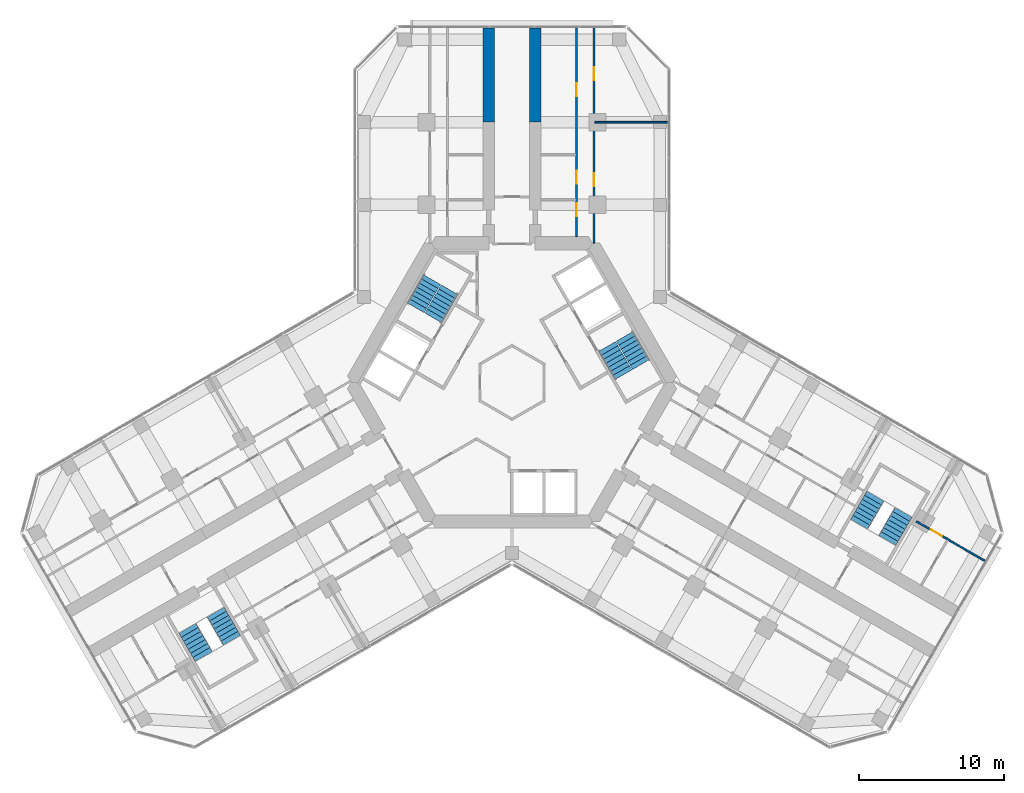
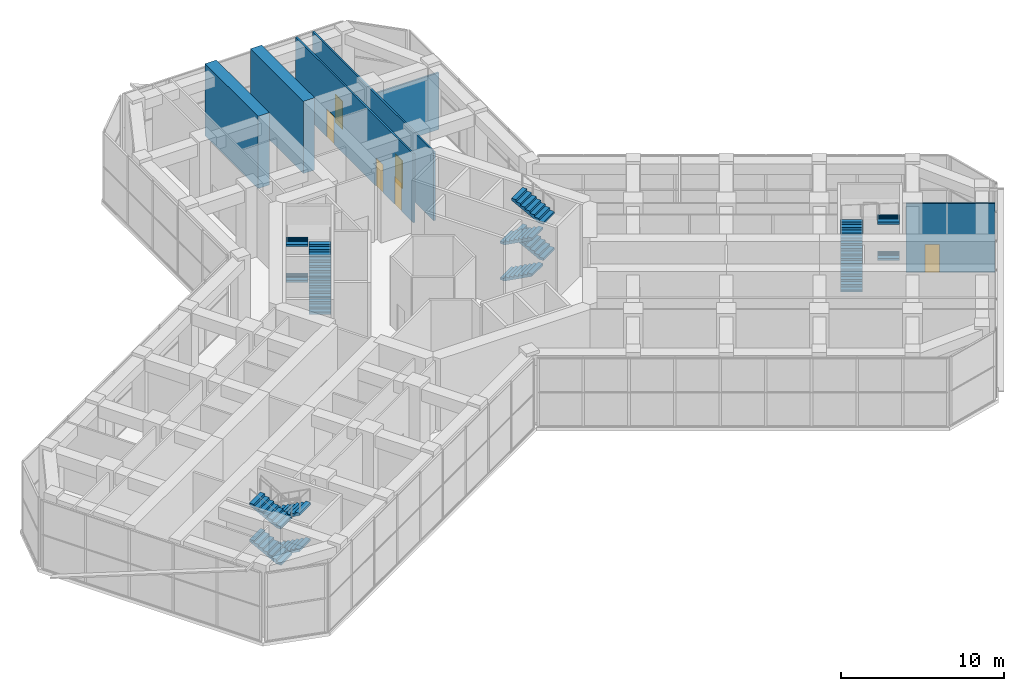
# One storey, part 18 of 20: 16 stair flights, 6 doors, 6 walls, 6 openings, 4 elements without a shape of their own.
"""IFC4 building model written with IfcOpenShell, lengths in metres."""

from ifc_helpers import new_model, si_unit, direction, frame, frame_2d, origin, place, context, subcontext, project, spatial, polyline, rectangle, outline, extrude, material, layer, layer_set, type_object, element, fill, aggregate, save


model = new_model("IFC4")

# Units and contexts
model_context = context("Model", 3, precision=1e-05, world=origin(), true_north=direction((0.0, 1.0)))
body_context = subcontext(model_context, "Body", "Model", "MODEL_VIEW")
ifc_project = project(units=[si_unit("LENGTHUNIT", "METRE"), si_unit("AREAUNIT", "SQUARE_METRE"), si_unit("VOLUMEUNIT", "CUBIC_METRE"), si_unit("PLANEANGLEUNIT", "RADIAN"), si_unit("MASSUNIT", "GRAM", prefix="KILO")], contexts=[model_context])

# Site, building, storey
site_placement = place(None, origin())
site = spatial("IfcSite", under=ifc_project, at=site_placement, CompositionType="ELEMENT")
building_placement = place(site_placement, origin())
building = spatial("IfcBuilding", under=site, at=building_placement, Name="Kosmar Iwan School Tower", CompositionType="ELEMENT")
storey_placement = place(building_placement, frame((0.0, 0.0, 152.60009765625)))
storey = spatial("IfcBuildingStorey", under=building, at=storey_placement, Name="L38", CompositionType="ELEMENT", Elevation=152.60009765625)

# Walls
ifc_material_1 = material(Name="Concrete C50/60", Category="concrete")
ifc_layer_1 = layer(ifc_material_1, 0.800048828125)
ifc_layer_set_1 = layer_set([ifc_layer_1], Name="Corridor buttress wall 800")
wall_type_1 = type_object("IfcWallType", Name="Corridor buttress wall 800", PredefinedType="SHEAR", material=ifc_layer_set_1)
for number, where, z_axis, x_axis, name in (
    (1, (-1.60009765625, 17.949951171875, 0.0), (0.0, 0.0, 1.0), (0.0, 1.0, 0.0), "Corridor wall AL bay 2"),
    (2, (1.60009765625, 17.949951171875, 0.0), (0.0, 0.0, 1.0), (0.0, 1.0, 0.0), "Corridor wall AR bay 2"),
):
    element("IfcWall", number, at=place(storey_placement, frame(where, z_axis=z_axis, x_axis=x_axis)), inside=storey, type_object=wall_type_1, Name=name, PredefinedType="SHEAR", context=body_context, shape_type="SweptSolid", body=[
        extrude(rectangle(XDim=6.4951171875, YDim=0.800048828125, at=frame_2d((3.24755859375, 0.0))), origin(), (0.0, 0.0, 1.0), 5.39990234375),
    ])

# Wall, openings, doors
ifc_material_2 = material(Name="Gypsum board on steel studs", Category="steel")
ifc_layer_2 = layer(ifc_material_2, 0.1201171875)
ifc_layer_set_2 = layer_set([ifc_layer_2], Name="Dwelling partition 120")
wall_type_2 = type_object("IfcWallType", Name="Dwelling partition 120", PredefinedType="PARTITIONING", material=ifc_layer_set_2)
wall_1_placement = place(storey_placement, frame((4.449951171875, 10.050048828125, 0.0), z_axis=(0.0, 0.0, 1.0), x_axis=(0.0, 1.0, 0.0)))
wall_1 = element("IfcWall", 3, at=wall_1_placement, inside=storey, type_object=wall_type_2, Name="Partition L38-AR1-W1", PredefinedType="PARTITIONING", context=body_context, shape_type="SweptSolid", body=[
    extrude(rectangle(XDim=14.39501953125, YDim=0.1201171875, at=frame_2d((7.197509765625, 0.0))), origin(), (0.0, 0.0, 1.0), 5.14990234375),
])
opening_1_placement = place(wall_1_placement, frame((1.39990234375, 0.0, 0.0)))
opening_1 = element("IfcOpeningElement", 4, at=opening_1_placement, cuts=wall_1, Name="Opening D2", PredefinedType="OPENING", context=body_context, shape_type="SweptSolid", body=[
    extrude(rectangle(XDim=0.89990234375, YDim=2.10009765625, at=frame_2d((0.449951171875, 1.050048828125))), frame((0.0, 0.072021484375, 0.0), z_axis=(0.0, -1.0, 0.0), x_axis=(1.0, 0.0, 0.0)), (0.0, 0.0, 1.0), 0.14404296875),
])
opening_2_placement = place(wall_1_placement, frame((3.64990234375, 0.0, 0.0)))
opening_2 = element("IfcOpeningElement", 5, at=opening_2_placement, cuts=wall_1, Name="Opening D2", PredefinedType="OPENING", context=body_context, shape_type="SweptSolid", body=[
    extrude(rectangle(XDim=0.89990234375, YDim=2.10009765625, at=frame_2d((0.449951171875, 1.050048828125))), frame((0.0, 0.072021484375, 0.0), z_axis=(0.0, -1.0, 0.0), x_axis=(1.0, 0.0, 0.0)), (0.0, 0.0, 1.0), 0.14404296875),
])
opening_3_placement = place(wall_1_placement, frame((9.675048828125, 0.0, 0.0)))
opening_3 = element("IfcOpeningElement", 6, at=opening_3_placement, cuts=wall_1, Name="Opening D2", PredefinedType="OPENING", context=body_context, shape_type="SweptSolid", body=[
    extrude(rectangle(XDim=0.89990234375, YDim=2.10009765625, at=frame_2d((0.449951171875, 1.050048828125))), frame((0.0, 0.072021484375, 0.0), z_axis=(0.0, -1.0, 0.0), x_axis=(1.0, 0.0, 0.0)), (0.0, 0.0, 1.0), 0.14404296875),
])
ifc_material_3 = material(Name="Timber door in timber frame", Category="wood")
door_type = type_object("IfcDoorType", Name="Internal door 900x2100", OperationType="SINGLE_SWING_LEFT", PredefinedType="DOOR", material=ifc_material_3)
door_1_placement = place(opening_1_placement, origin())
door_1 = element("IfcDoor", 7, at=door_1_placement, inside=storey, type_object=door_type, Name="Entrance hall door L38-AR1-S1", OperationType="SINGLE_SWING_RIGHT", OverallHeight=2.10009765625, OverallWidth=0.89990234375, PredefinedType="DOOR", context=body_context, shape_type="SweptSolid", body=[
    extrude(rectangle(XDim=0.89990234375, YDim=2.10009765625, at=frame_2d((0.449951171875, 1.050048828125))), frame((0.0, 0.02490234375, 0.0), z_axis=(0.0, -1.0, 0.0), x_axis=(1.0, 0.0, 0.0)), (0.0, 0.0, 1.0), 0.050048828125),
])
fill(opening_1, door_1)
door_2_placement = place(opening_2_placement, origin())
door_2 = element("IfcDoor", 8, at=door_2_placement, inside=storey, type_object=door_type, Name="Lounge kitchen door L38-AR1-S2", OperationType="SINGLE_SWING_LEFT", OverallHeight=2.10009765625, OverallWidth=0.89990234375, PredefinedType="DOOR", context=body_context, shape_type="SweptSolid", body=[
    extrude(rectangle(XDim=0.89990234375, YDim=2.10009765625, at=frame_2d((0.449951171875, 1.050048828125))), frame((0.0, 0.02490234375, 0.0), z_axis=(0.0, -1.0, 0.0), x_axis=(1.0, 0.0, 0.0)), (0.0, 0.0, 1.0), 0.050048828125),
])
fill(opening_2, door_2)
door_3_placement = place(opening_3_placement, origin())
door_3 = element("IfcDoor", 9, at=door_3_placement, inside=storey, type_object=door_type, Name="Toilets door L38-AR1-S3", OperationType="SINGLE_SWING_RIGHT", OverallHeight=2.10009765625, OverallWidth=0.89990234375, PredefinedType="DOOR", context=body_context, shape_type="SweptSolid", body=[
    extrude(rectangle(XDim=0.89990234375, YDim=2.10009765625, at=frame_2d((0.449951171875, 1.050048828125))), frame((0.0, 0.02490234375, 0.0), z_axis=(0.0, -1.0, 0.0), x_axis=(1.0, 0.0, 0.0)), (0.0, 0.0, 1.0), 0.050048828125),
])
fill(opening_3, door_3)

wall_2_placement = place(storey_placement, frame((5.64990234375, 9.60009765625, 0.0), z_axis=(0.0, 0.0, 1.0), x_axis=(0.0, 1.0, 0.0)))
wall_2 = element("IfcWall", 10, at=wall_2_placement, inside=storey, type_object=wall_type_2, Name="Partition L38-AR1-W2", PredefinedType="PARTITIONING", context=body_context, shape_type="SweptSolid", body=[
    extrude(rectangle(XDim=14.844970703125, YDim=0.1201171875, at=frame_2d((7.42236328125, 0.0))), origin(), (0.0, 0.0, 1.0), 5.14990234375),
])
opening_4_placement = place(wall_2_placement, frame((3.925048828125, 0.0, 0.0)))
opening_4 = element("IfcOpeningElement", 11, at=opening_4_placement, cuts=wall_2, Name="Opening D2", PredefinedType="OPENING", context=body_context, shape_type="SweptSolid", body=[
    extrude(rectangle(XDim=0.89990234375, YDim=2.10009765625, at=frame_2d((0.449951171875, 1.050048828125))), frame((0.0, 0.072021484375, 0.0), z_axis=(0.0, -1.0, 0.0), x_axis=(1.0, 0.0, 0.0)), (0.0, 0.0, 1.0), 0.14404296875),
])
opening_5_placement = place(wall_2_placement, frame((11.25, 0.0, 0.0)))
opening_5 = element("IfcOpeningElement", 12, at=opening_5_placement, cuts=wall_2, Name="Opening D2", PredefinedType="OPENING", context=body_context, shape_type="SweptSolid", body=[
    extrude(rectangle(XDim=0.89990234375, YDim=2.10009765625, at=frame_2d((0.449951171875, 1.050048828125))), frame((0.0, 0.072021484375, 0.0), z_axis=(0.0, -1.0, 0.0), x_axis=(1.0, 0.0, 0.0)), (0.0, 0.0, 1.0), 0.14404296875),
])
door_4_placement = place(opening_4_placement, origin())
door_4 = element("IfcDoor", 13, at=door_4_placement, inside=storey, type_object=door_type, Name="Residents' library door L38-AR1-F1", OperationType="SINGLE_SWING_LEFT", OverallHeight=2.10009765625, OverallWidth=0.89990234375, PredefinedType="DOOR", context=body_context, shape_type="SweptSolid", body=[
    extrude(rectangle(XDim=0.89990234375, YDim=2.10009765625, at=frame_2d((0.449951171875, 1.050048828125))), frame((0.0, 0.02490234375, 0.0), z_axis=(0.0, -1.0, 0.0), x_axis=(1.0, 0.0, 0.0)), (0.0, 0.0, 1.0), 0.050048828125),
])
fill(opening_4, door_4)
door_5_placement = place(opening_5_placement, origin())
door_5 = element("IfcDoor", 14, at=door_5_placement, inside=storey, type_object=door_type, Name="Study room door L38-AR1-F2", OperationType="SINGLE_SWING_RIGHT", OverallHeight=2.10009765625, OverallWidth=0.89990234375, PredefinedType="DOOR", context=body_context, shape_type="SweptSolid", body=[
    extrude(rectangle(XDim=0.89990234375, YDim=2.10009765625, at=frame_2d((0.449951171875, 1.050048828125))), frame((0.0, 0.02490234375, 0.0), z_axis=(0.0, -1.0, 0.0), x_axis=(1.0, 0.0, 0.0)), (0.0, 0.0, 1.0), 0.050048828125),
])
fill(opening_5, door_5)

# Wall
wall_3_placement = place(storey_placement, frame((5.7099609375, 17.949951171875, 0.0), z_axis=(0.0, 0.0, 1.0), x_axis=(1.0, 0.0, 0.0)))
element("IfcWall", 15, at=wall_3_placement, inside=storey, type_object=wall_type_2, Name="Partition L38-AR1-X1", PredefinedType="PARTITIONING", context=body_context, shape_type="SweptSolid", body=[
    extrude(rectangle(XDim=5.03515625, YDim=0.1201171875, at=frame_2d((2.517578125, 0.0))), origin(), (0.0, 0.0, 1.0), 4.25),
])

# Wall, opening, door
wall_4_placement = place(storey_placement, frame((27.896484375, -9.58203125, 0.0), z_axis=(0.0, 0.0, 1.0), x_axis=(0.866035508231, -0.499982498177, 0.0)))
wall_4 = element("IfcWall", 16, at=wall_4_placement, inside=storey, type_object=wall_type_2, Name="Partition L38-CL1-TW", PredefinedType="PARTITIONING", context=body_context, shape_type="SweptSolid", body=[
    extrude(rectangle(XDim=5.445068359375, YDim=0.1201171875, at=frame_2d((2.72265625, 0.0))), origin(), (0.0, 0.0, 1.0), 5.14990234375),
])
opening_6_placement = place(wall_4_placement, frame((1.14990234375, 0.0, 0.0)))
opening_6 = element("IfcOpeningElement", 17, at=opening_6_placement, cuts=wall_4, Name="Opening D2", PredefinedType="OPENING", context=body_context, shape_type="SweptSolid", body=[
    extrude(rectangle(XDim=0.89990234375, YDim=2.10009765625, at=frame_2d((0.449951171875, 1.050048828125))), frame((0.0, 0.072021484375, 0.0), z_axis=(0.0, -1.0, 0.0), x_axis=(1.0, 0.0, 0.0)), (0.0, 0.0, 1.0), 0.14404296875),
])
door_6_placement = place(opening_6_placement, origin())
door_6 = element("IfcDoor", 18, at=door_6_placement, inside=storey, type_object=door_type, Name="Garden store door L38-CL1-T3", OperationType="SINGLE_SWING_LEFT", OverallHeight=2.10009765625, OverallWidth=0.89990234375, PredefinedType="DOOR", context=body_context, shape_type="SweptSolid", body=[
    extrude(rectangle(XDim=0.89990234375, YDim=2.10009765625, at=frame_2d((0.449951171875, 1.050048828125))), frame((0.0, 0.02490234375, 0.0), z_axis=(0.0, -1.0, 0.0), x_axis=(1.0, 0.0, 0.0)), (0.0, 0.0, 1.0), 0.050048828125),
])
fill(opening_6, door_6)

# Stair, stair flights
ifc_material_4 = material(Name="Concrete C35/45", Category="concrete")
stair_type_1 = type_object("IfcStairType", Name="Escape stair 3600", PredefinedType="HALF_TURN_STAIR", material=ifc_material_4)
stair_1_placement = place(storey_placement, origin())
stair_1 = element("IfcStair", 19, at=stair_1_placement, inside=storey, type_object=stair_type_1, Name="Stair WS2 L38", PredefinedType="HALF_TURN_STAIR")
ifc_material_5 = material(Name="Concrete C35/45", Category="concrete")
stair_flight_type_1 = type_object("IfcStairFlightType", Name="Escape stair flight 1350", PredefinedType="STRAIGHT", material=ifc_material_5)
stair_flight_1_placement = place(storey_placement, frame((-20.44189453125, -15.843505859375, 0.0), z_axis=(0.0, 0.0, 1.0), x_axis=(0.5, -0.866025403784, 0.0)))
stair_flight_1 = element("IfcStairFlight", 20, at=stair_flight_1_placement, type_object=stair_flight_type_1, Name="WS2 flight 1", NumberOfRisers=8, NumberOfTreads=7, PredefinedType="STRAIGHT", RiserHeight=0.16875, TreadLength=0.32, context=body_context, shape_type="SweptSolid", body=[
    extrude(outline(polyline([(0.0, 0.0), (0.0, 0.168701171875), (0.320068359375, 0.168701171875), (0.320068359375, 0.33740234375), (0.639892578125, 0.33740234375), (0.639892578125, 0.50634765625), (0.9599609375, 0.50634765625), (0.9599609375, 0.675048828125), (1.280029296875, 0.675048828125), (1.280029296875, 0.84375), (1.60009765625, 0.84375), (1.60009765625, 1.012451171875), (1.919921875, 1.012451171875), (1.919921875, 1.18115234375), (2.239990234375, 1.18115234375), (2.239990234375, 1.35009765625), (2.239990234375, 1.01171875), (0.3212890625, 0.0), (0.0, 0.0)])), frame((0.0, 0.675048828125, 0.0), z_axis=(0.0, -1.0, 0.0), x_axis=(1.0, 0.0, 0.0)), (0.0, 0.0, 1.0), 1.35009765625),
])
stair_flight_2_placement = place(storey_placement, frame((-21.2705078125, -18.908447265625, 1.349853515625), z_axis=(0.0, 0.0, 1.0), x_axis=(-0.5, 0.866025403784, 0.0)))
stair_flight_2 = element("IfcStairFlight", 21, at=stair_flight_2_placement, type_object=stair_flight_type_1, Name="WS2 flight 2", NumberOfRisers=8, NumberOfTreads=7, PredefinedType="STRAIGHT", RiserHeight=0.16875, TreadLength=0.32, context=body_context, shape_type="SweptSolid", body=[
    extrude(outline(polyline([(0.0, 0.0), (0.0, 0.168701171875), (0.320068359375, 0.168701171875), (0.320068359375, 0.33740234375), (0.639892578125, 0.33740234375), (0.639892578125, 0.50634765625), (0.9599609375, 0.50634765625), (0.9599609375, 0.675048828125), (1.280029296875, 0.675048828125), (1.280029296875, 0.84375), (1.60009765625, 0.84375), (1.60009765625, 1.012451171875), (1.919921875, 1.012451171875), (1.919921875, 1.18115234375), (2.239990234375, 1.18115234375), (2.239990234375, 1.35009765625), (2.239990234375, 1.01171875), (0.3212890625, 0.0), (0.0, 0.0)])), frame((0.0, 0.675048828125, 0.0), z_axis=(0.0, -1.0, 0.0), x_axis=(1.0, 0.0, 0.0)), (0.0, 0.0, 1.0), 1.35009765625),
])
stair_flight_3_placement = place(storey_placement, frame((-20.44189453125, -15.843505859375, 2.699951171875), z_axis=(0.0, 0.0, 1.0), x_axis=(0.5, -0.866025403784, 0.0)))
stair_flight_3 = element("IfcStairFlight", 22, at=stair_flight_3_placement, type_object=stair_flight_type_1, Name="WS2 flight 3", NumberOfRisers=8, NumberOfTreads=7, PredefinedType="STRAIGHT", RiserHeight=0.16875, TreadLength=0.32, context=body_context, shape_type="SweptSolid", body=[
    extrude(outline(polyline([(0.0, 0.0), (0.0, 0.168701171875), (0.320068359375, 0.168701171875), (0.320068359375, 0.33740234375), (0.639892578125, 0.33740234375), (0.639892578125, 0.50634765625), (0.9599609375, 0.50634765625), (0.9599609375, 0.675048828125), (1.280029296875, 0.675048828125), (1.280029296875, 0.84375), (1.60009765625, 0.84375), (1.60009765625, 1.012451171875), (1.919921875, 1.012451171875), (1.919921875, 1.18115234375), (2.239990234375, 1.18115234375), (2.239990234375, 1.35009765625), (2.239990234375, 1.01171875), (0.3212890625, 0.0), (0.0, 0.0)])), frame((0.0, 0.675048828125, 0.0), z_axis=(0.0, -1.0, 0.0), x_axis=(1.0, 0.0, 0.0)), (0.0, 0.0, 1.0), 1.35009765625),
])
stair_flight_4_placement = place(storey_placement, frame((-21.2705078125, -18.908447265625, 4.0498046875), z_axis=(0.0, 0.0, 1.0), x_axis=(-0.5, 0.866025403784, 0.0)))
stair_flight_4 = element("IfcStairFlight", 23, at=stair_flight_4_placement, type_object=stair_flight_type_1, Name="WS2 flight 4", NumberOfRisers=8, NumberOfTreads=7, PredefinedType="STRAIGHT", RiserHeight=0.16875, TreadLength=0.32, context=body_context, shape_type="SweptSolid", body=[
    extrude(outline(polyline([(0.0, 0.0), (0.0, 0.168701171875), (0.320068359375, 0.168701171875), (0.320068359375, 0.33740234375), (0.639892578125, 0.33740234375), (0.639892578125, 0.50634765625), (0.9599609375, 0.50634765625), (0.9599609375, 0.675048828125), (1.280029296875, 0.675048828125), (1.280029296875, 0.84375), (1.60009765625, 0.84375), (1.60009765625, 1.012451171875), (1.919921875, 1.012451171875), (1.919921875, 1.18115234375), (2.239990234375, 1.18115234375), (2.239990234375, 1.35009765625), (2.239990234375, 1.01171875), (0.3212890625, 0.0), (0.0, 0.0)])), frame((0.0, 0.675048828125, 0.0), z_axis=(0.0, -1.0, 0.0), x_axis=(1.0, 0.0, 0.0)), (0.0, 0.0, 1.0), 1.35009765625),
])
aggregate(stair_1, [stair_flight_1, stair_flight_2, stair_flight_3, stair_flight_4])

stair_2_placement = place(storey_placement, origin())
stair_2 = element("IfcStair", 24, at=stair_2_placement, inside=storey, type_object=stair_type_1, Name="Stair WS3 L38", PredefinedType="HALF_TURN_STAIR")
stair_flight_5_placement = place(storey_placement, frame((23.94189453125, -9.781494140625, 0.0), z_axis=(0.0, 0.0, 1.0), x_axis=(0.5, 0.866025403784, 0.0)))
stair_flight_5 = element("IfcStairFlight", 25, at=stair_flight_5_placement, type_object=stair_flight_type_1, Name="WS3 flight 1", NumberOfRisers=8, NumberOfTreads=7, PredefinedType="STRAIGHT", RiserHeight=0.16875, TreadLength=0.32, context=body_context, shape_type="SweptSolid", body=[
    extrude(outline(polyline([(0.0, 0.0), (0.0, 0.168701171875), (0.320068359375, 0.168701171875), (0.320068359375, 0.33740234375), (0.639892578125, 0.33740234375), (0.639892578125, 0.50634765625), (0.9599609375, 0.50634765625), (0.9599609375, 0.675048828125), (1.280029296875, 0.675048828125), (1.280029296875, 0.84375), (1.60009765625, 0.84375), (1.60009765625, 1.012451171875), (1.919921875, 1.012451171875), (1.919921875, 1.18115234375), (2.239990234375, 1.18115234375), (2.239990234375, 1.35009765625), (2.239990234375, 1.01171875), (0.3212890625, 0.0), (0.0, 0.0)])), frame((0.0, 0.675048828125, 0.0), z_axis=(0.0, -1.0, 0.0), x_axis=(1.0, 0.0, 0.0)), (0.0, 0.0, 1.0), 1.35009765625),
])
stair_flight_6_placement = place(storey_placement, frame((27.010498046875, -8.966552734375, 1.349853515625), z_axis=(0.0, 0.0, 1.0), x_axis=(-0.5, -0.866025403784, 0.0)))
stair_flight_6 = element("IfcStairFlight", 26, at=stair_flight_6_placement, type_object=stair_flight_type_1, Name="WS3 flight 2", NumberOfRisers=8, NumberOfTreads=7, PredefinedType="STRAIGHT", RiserHeight=0.16875, TreadLength=0.32, context=body_context, shape_type="SweptSolid", body=[
    extrude(outline(polyline([(0.0, 0.0), (0.0, 0.168701171875), (0.320068359375, 0.168701171875), (0.320068359375, 0.33740234375), (0.639892578125, 0.33740234375), (0.639892578125, 0.50634765625), (0.9599609375, 0.50634765625), (0.9599609375, 0.675048828125), (1.280029296875, 0.675048828125), (1.280029296875, 0.84375), (1.60009765625, 0.84375), (1.60009765625, 1.012451171875), (1.919921875, 1.012451171875), (1.919921875, 1.18115234375), (2.239990234375, 1.18115234375), (2.239990234375, 1.35009765625), (2.239990234375, 1.01171875), (0.3212890625, 0.0), (0.0, 0.0)])), frame((0.0, 0.675048828125, 0.0), z_axis=(0.0, -1.0, 0.0), x_axis=(1.0, 0.0, 0.0)), (0.0, 0.0, 1.0), 1.35009765625),
])
stair_flight_7_placement = place(storey_placement, frame((23.94189453125, -9.781494140625, 2.699951171875), z_axis=(0.0, 0.0, 1.0), x_axis=(0.5, 0.866025403784, 0.0)))
stair_flight_7 = element("IfcStairFlight", 27, at=stair_flight_7_placement, type_object=stair_flight_type_1, Name="WS3 flight 3", NumberOfRisers=8, NumberOfTreads=7, PredefinedType="STRAIGHT", RiserHeight=0.16875, TreadLength=0.32, context=body_context, shape_type="SweptSolid", body=[
    extrude(outline(polyline([(0.0, 0.0), (0.0, 0.168701171875), (0.320068359375, 0.168701171875), (0.320068359375, 0.33740234375), (0.639892578125, 0.33740234375), (0.639892578125, 0.50634765625), (0.9599609375, 0.50634765625), (0.9599609375, 0.675048828125), (1.280029296875, 0.675048828125), (1.280029296875, 0.84375), (1.60009765625, 0.84375), (1.60009765625, 1.012451171875), (1.919921875, 1.012451171875), (1.919921875, 1.18115234375), (2.239990234375, 1.18115234375), (2.239990234375, 1.35009765625), (2.239990234375, 1.01171875), (0.3212890625, 0.0), (0.0, 0.0)])), frame((0.0, 0.675048828125, 0.0), z_axis=(0.0, -1.0, 0.0), x_axis=(1.0, 0.0, 0.0)), (0.0, 0.0, 1.0), 1.35009765625),
])
stair_flight_8_placement = place(storey_placement, frame((27.010498046875, -8.966552734375, 4.0498046875), z_axis=(0.0, 0.0, 1.0), x_axis=(-0.5, -0.866025403784, 0.0)))
stair_flight_8 = element("IfcStairFlight", 28, at=stair_flight_8_placement, type_object=stair_flight_type_1, Name="WS3 flight 4", NumberOfRisers=8, NumberOfTreads=7, PredefinedType="STRAIGHT", RiserHeight=0.16875, TreadLength=0.32, context=body_context, shape_type="SweptSolid", body=[
    extrude(outline(polyline([(0.0, 0.0), (0.0, 0.168701171875), (0.320068359375, 0.168701171875), (0.320068359375, 0.33740234375), (0.639892578125, 0.33740234375), (0.639892578125, 0.50634765625), (0.9599609375, 0.50634765625), (0.9599609375, 0.675048828125), (1.280029296875, 0.675048828125), (1.280029296875, 0.84375), (1.60009765625, 0.84375), (1.60009765625, 1.012451171875), (1.919921875, 1.012451171875), (1.919921875, 1.18115234375), (2.239990234375, 1.18115234375), (2.239990234375, 1.35009765625), (2.239990234375, 1.01171875), (0.3212890625, 0.0), (0.0, 0.0)])), frame((0.0, 0.675048828125, 0.0), z_axis=(0.0, -1.0, 0.0), x_axis=(1.0, 0.0, 0.0)), (0.0, 0.0, 1.0), 1.35009765625),
])
aggregate(stair_2, [stair_flight_5, stair_flight_6, stair_flight_7, stair_flight_8])

ifc_material_6 = material(Name="Concrete C35/45", Category="concrete")
stair_type_2 = type_object("IfcStairType", Name="Core stair 2750", PredefinedType="HALF_TURN_STAIR", material=ifc_material_6)
stair_3_placement = place(storey_placement, origin())
stair_3 = element("IfcStair", 29, at=stair_3_placement, inside=storey, type_object=stair_type_2, Name="Stair ST2 L38", PredefinedType="HALF_TURN_STAIR")
ifc_material_7 = material(Name="Concrete C35/45", Category="concrete")
stair_flight_type_2 = type_object("IfcStairFlightType", Name="Stair flight 1350", PredefinedType="STRAIGHT", material=ifc_material_7)
stair_flight_9_placement = place(storey_placement, frame((-5.42724609375, 4.44970703125, 0.0), z_axis=(0.0, 0.0, 1.0), x_axis=(0.5, 0.866025403784, 0.0)))
stair_flight_9 = element("IfcStairFlight", 30, at=stair_flight_9_placement, type_object=stair_flight_type_2, Name="ST2 flight 1", NumberOfRisers=8, NumberOfTreads=7, PredefinedType="STRAIGHT", RiserHeight=0.16875, TreadLength=0.32, context=body_context, shape_type="SweptSolid", body=[
    extrude(outline(polyline([(0.0, 0.0), (0.0, 0.168701171875), (0.320068359375, 0.168701171875), (0.320068359375, 0.33740234375), (0.639892578125, 0.33740234375), (0.639892578125, 0.50634765625), (0.9599609375, 0.50634765625), (0.9599609375, 0.675048828125), (1.280029296875, 0.675048828125), (1.280029296875, 0.84375), (1.60009765625, 0.84375), (1.60009765625, 1.012451171875), (1.919921875, 1.012451171875), (1.919921875, 1.18115234375), (2.239990234375, 1.18115234375), (2.239990234375, 1.35009765625), (2.239990234375, 1.01171875), (0.3212890625, 0.0), (0.0, 0.0)])), frame((0.0, 0.675048828125, 0.0), z_axis=(0.0, -1.0, 0.0), x_axis=(1.0, 0.0, 0.0)), (0.0, 0.0, 1.0), 1.35009765625),
])
stair_flight_10_placement = place(storey_placement, frame((-5.519775390625, 7.089599609375, 1.349853515625), z_axis=(0.0, 0.0, 1.0), x_axis=(-0.5, -0.866025403784, 0.0)))
stair_flight_10 = element("IfcStairFlight", 31, at=stair_flight_10_placement, type_object=stair_flight_type_2, Name="ST2 flight 2", NumberOfRisers=8, NumberOfTreads=7, PredefinedType="STRAIGHT", RiserHeight=0.16875, TreadLength=0.32, context=body_context, shape_type="SweptSolid", body=[
    extrude(outline(polyline([(0.0, 0.0), (0.0, 0.168701171875), (0.320068359375, 0.168701171875), (0.320068359375, 0.33740234375), (0.639892578125, 0.33740234375), (0.639892578125, 0.50634765625), (0.9599609375, 0.50634765625), (0.9599609375, 0.675048828125), (1.280029296875, 0.675048828125), (1.280029296875, 0.84375), (1.60009765625, 0.84375), (1.60009765625, 1.012451171875), (1.919921875, 1.012451171875), (1.919921875, 1.18115234375), (2.239990234375, 1.18115234375), (2.239990234375, 1.35009765625), (2.239990234375, 1.01171875), (0.3212890625, 0.0), (0.0, 0.0)])), frame((0.0, 0.675048828125, 0.0), z_axis=(0.0, -1.0, 0.0), x_axis=(1.0, 0.0, 0.0)), (0.0, 0.0, 1.0), 1.35009765625),
])
stair_flight_11_placement = place(storey_placement, frame((-5.42724609375, 4.44970703125, 2.699951171875), z_axis=(0.0, 0.0, 1.0), x_axis=(0.5, 0.866025403784, 0.0)))
stair_flight_11 = element("IfcStairFlight", 32, at=stair_flight_11_placement, type_object=stair_flight_type_2, Name="ST2 flight 3", NumberOfRisers=8, NumberOfTreads=7, PredefinedType="STRAIGHT", RiserHeight=0.16875, TreadLength=0.32, context=body_context, shape_type="SweptSolid", body=[
    extrude(outline(polyline([(0.0, 0.0), (0.0, 0.168701171875), (0.320068359375, 0.168701171875), (0.320068359375, 0.33740234375), (0.639892578125, 0.33740234375), (0.639892578125, 0.50634765625), (0.9599609375, 0.50634765625), (0.9599609375, 0.675048828125), (1.280029296875, 0.675048828125), (1.280029296875, 0.84375), (1.60009765625, 0.84375), (1.60009765625, 1.012451171875), (1.919921875, 1.012451171875), (1.919921875, 1.18115234375), (2.239990234375, 1.18115234375), (2.239990234375, 1.35009765625), (2.239990234375, 1.01171875), (0.3212890625, 0.0), (0.0, 0.0)])), frame((0.0, 0.675048828125, 0.0), z_axis=(0.0, -1.0, 0.0), x_axis=(1.0, 0.0, 0.0)), (0.0, 0.0, 1.0), 1.35009765625),
])
stair_flight_12_placement = place(storey_placement, frame((-5.519775390625, 7.089599609375, 4.0498046875), z_axis=(0.0, 0.0, 1.0), x_axis=(-0.5, -0.866025403784, 0.0)))
stair_flight_12 = element("IfcStairFlight", 33, at=stair_flight_12_placement, type_object=stair_flight_type_2, Name="ST2 flight 4", NumberOfRisers=8, NumberOfTreads=7, PredefinedType="STRAIGHT", RiserHeight=0.16875, TreadLength=0.32, context=body_context, shape_type="SweptSolid", body=[
    extrude(outline(polyline([(0.0, 0.0), (0.0, 0.168701171875), (0.320068359375, 0.168701171875), (0.320068359375, 0.33740234375), (0.639892578125, 0.33740234375), (0.639892578125, 0.50634765625), (0.9599609375, 0.50634765625), (0.9599609375, 0.675048828125), (1.280029296875, 0.675048828125), (1.280029296875, 0.84375), (1.60009765625, 0.84375), (1.60009765625, 1.012451171875), (1.919921875, 1.012451171875), (1.919921875, 1.18115234375), (2.239990234375, 1.18115234375), (2.239990234375, 1.35009765625), (2.239990234375, 1.01171875), (0.3212890625, 0.0), (0.0, 0.0)])), frame((0.0, 0.675048828125, 0.0), z_axis=(0.0, -1.0, 0.0), x_axis=(1.0, 0.0, 0.0)), (0.0, 0.0, 1.0), 1.35009765625),
])
aggregate(stair_3, [stair_flight_9, stair_flight_10, stair_flight_11, stair_flight_12])

stair_4_placement = place(storey_placement, origin())
stair_4 = element("IfcStair", 34, at=stair_4_placement, inside=storey, type_object=stair_type_2, Name="Stair ST1 L38", PredefinedType="HALF_TURN_STAIR")
stair_flight_13_placement = place(storey_placement, frame((6.567138671875, 2.475341796875, 0.0), z_axis=(0.0, 0.0, 1.0), x_axis=(0.5, -0.866025403784, 0.0)))
stair_flight_13 = element("IfcStairFlight", 35, at=stair_flight_13_placement, type_object=stair_flight_type_2, Name="ST1 flight 1", NumberOfRisers=8, NumberOfTreads=7, PredefinedType="STRAIGHT", RiserHeight=0.16875, TreadLength=0.32, context=body_context, shape_type="SweptSolid", body=[
    extrude(outline(polyline([(0.0, 0.0), (0.0, 0.168701171875), (0.320068359375, 0.168701171875), (0.320068359375, 0.33740234375), (0.639892578125, 0.33740234375), (0.639892578125, 0.50634765625), (0.9599609375, 0.50634765625), (0.9599609375, 0.675048828125), (1.280029296875, 0.675048828125), (1.280029296875, 0.84375), (1.60009765625, 0.84375), (1.60009765625, 1.012451171875), (1.919921875, 1.012451171875), (1.919921875, 1.18115234375), (2.239990234375, 1.18115234375), (2.239990234375, 1.35009765625), (2.239990234375, 1.01171875), (0.3212890625, 0.0), (0.0, 0.0)])), frame((0.0, 0.675048828125, 0.0), z_axis=(0.0, -1.0, 0.0), x_axis=(1.0, 0.0, 0.0)), (0.0, 0.0, 1.0), 1.35009765625),
])
stair_flight_14_placement = place(storey_placement, frame((8.899658203125, 1.2353515625, 1.349853515625), z_axis=(0.0, 0.0, 1.0), x_axis=(-0.5, 0.866025403784, 0.0)))
stair_flight_14 = element("IfcStairFlight", 36, at=stair_flight_14_placement, type_object=stair_flight_type_2, Name="ST1 flight 2", NumberOfRisers=8, NumberOfTreads=7, PredefinedType="STRAIGHT", RiserHeight=0.16875, TreadLength=0.32, context=body_context, shape_type="SweptSolid", body=[
    extrude(outline(polyline([(0.0, 0.0), (0.0, 0.168701171875), (0.320068359375, 0.168701171875), (0.320068359375, 0.33740234375), (0.639892578125, 0.33740234375), (0.639892578125, 0.50634765625), (0.9599609375, 0.50634765625), (0.9599609375, 0.675048828125), (1.280029296875, 0.675048828125), (1.280029296875, 0.84375), (1.60009765625, 0.84375), (1.60009765625, 1.012451171875), (1.919921875, 1.012451171875), (1.919921875, 1.18115234375), (2.239990234375, 1.18115234375), (2.239990234375, 1.35009765625), (2.239990234375, 1.01171875), (0.3212890625, 0.0), (0.0, 0.0)])), frame((0.0, 0.675048828125, 0.0), z_axis=(0.0, -1.0, 0.0), x_axis=(1.0, 0.0, 0.0)), (0.0, 0.0, 1.0), 1.35009765625),
])
stair_flight_15_placement = place(storey_placement, frame((6.567138671875, 2.475341796875, 2.699951171875), z_axis=(0.0, 0.0, 1.0), x_axis=(0.5, -0.866025403784, 0.0)))
stair_flight_15 = element("IfcStairFlight", 37, at=stair_flight_15_placement, type_object=stair_flight_type_2, Name="ST1 flight 3", NumberOfRisers=8, NumberOfTreads=7, PredefinedType="STRAIGHT", RiserHeight=0.16875, TreadLength=0.32, context=body_context, shape_type="SweptSolid", body=[
    extrude(outline(polyline([(0.0, 0.0), (0.0, 0.168701171875), (0.320068359375, 0.168701171875), (0.320068359375, 0.33740234375), (0.639892578125, 0.33740234375), (0.639892578125, 0.50634765625), (0.9599609375, 0.50634765625), (0.9599609375, 0.675048828125), (1.280029296875, 0.675048828125), (1.280029296875, 0.84375), (1.60009765625, 0.84375), (1.60009765625, 1.012451171875), (1.919921875, 1.012451171875), (1.919921875, 1.18115234375), (2.239990234375, 1.18115234375), (2.239990234375, 1.35009765625), (2.239990234375, 1.01171875), (0.3212890625, 0.0), (0.0, 0.0)])), frame((0.0, 0.675048828125, 0.0), z_axis=(0.0, -1.0, 0.0), x_axis=(1.0, 0.0, 0.0)), (0.0, 0.0, 1.0), 1.35009765625),
])
stair_flight_16_placement = place(storey_placement, frame((8.899658203125, 1.2353515625, 4.0498046875), z_axis=(0.0, 0.0, 1.0), x_axis=(-0.5, 0.866025403784, 0.0)))
stair_flight_16 = element("IfcStairFlight", 38, at=stair_flight_16_placement, type_object=stair_flight_type_2, Name="ST1 flight 4", NumberOfRisers=8, NumberOfTreads=7, PredefinedType="STRAIGHT", RiserHeight=0.16875, TreadLength=0.32, context=body_context, shape_type="SweptSolid", body=[
    extrude(outline(polyline([(0.0, 0.0), (0.0, 0.168701171875), (0.320068359375, 0.168701171875), (0.320068359375, 0.33740234375), (0.639892578125, 0.33740234375), (0.639892578125, 0.50634765625), (0.9599609375, 0.50634765625), (0.9599609375, 0.675048828125), (1.280029296875, 0.675048828125), (1.280029296875, 0.84375), (1.60009765625, 0.84375), (1.60009765625, 1.012451171875), (1.919921875, 1.012451171875), (1.919921875, 1.18115234375), (2.239990234375, 1.18115234375), (2.239990234375, 1.35009765625), (2.239990234375, 1.01171875), (0.3212890625, 0.0), (0.0, 0.0)])), frame((0.0, 0.675048828125, 0.0), z_axis=(0.0, -1.0, 0.0), x_axis=(1.0, 0.0, 0.0)), (0.0, 0.0, 1.0), 1.35009765625),
])
aggregate(stair_4, [stair_flight_13, stair_flight_14, stair_flight_15, stair_flight_16])

save(model, "model.ifc")
